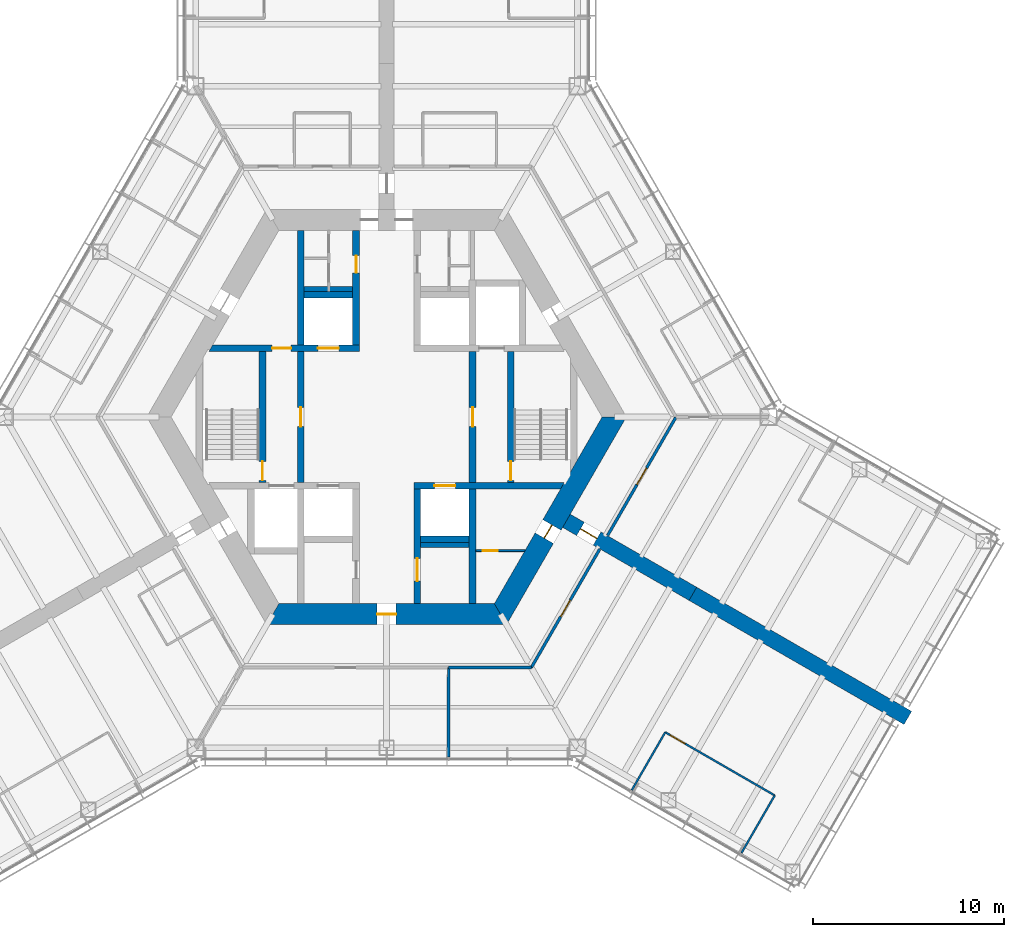
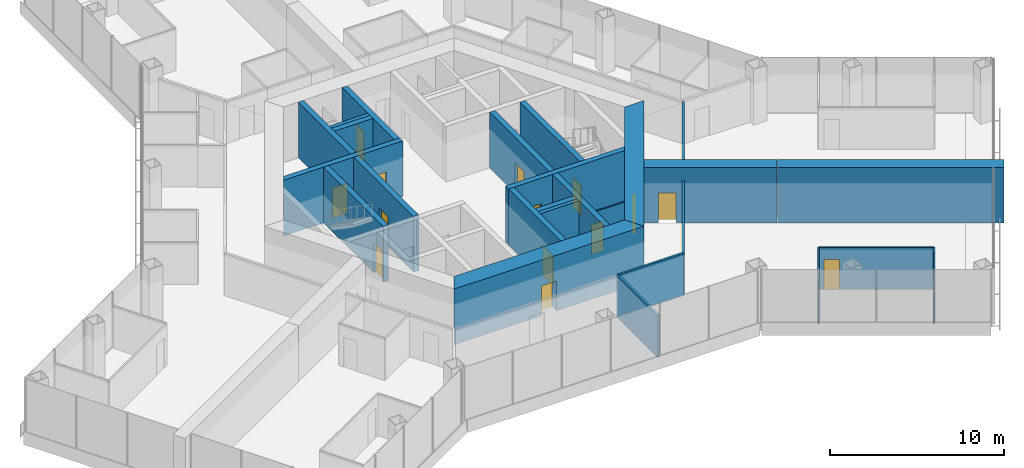
# One storey, part 13 of 18: 26 walls, 16 doors, 16 openings.
"""IFC4 building model written with IfcOpenShell, lengths in metres."""

import ifcopenshell
import ifcopenshell.guid

model = None  # the IFC model being written
_history = None  # IfcOwnerHistory: only IFC2X3 demands one
_inside = {}  # id of a spatial element -> (the spatial element, [elements in it])
_under = {}  # id of a project, library or spatial element -> (it, [spatial elements below it])
_declared = {}  # id of a project -> (the project, [libraries it declares])
_typed = {}  # id of a type object -> (the type object, [elements of that type])
_made_of = {}  # id of a material, layer set ... -> (it, [elements and type objects made of it])


def new_model(schema):
    """Start an empty IFC model of exactly this schema.

    Asked for "IFC4X3", IfcOpenShell would pick the latest addendum, in which some entities
    have other attributes; the version numbers below select the first issue.
    IFC2X3 requires an IfcOwnerHistory on every rooted entity: one is made here for all.
    """
    global model, _history
    if schema == "IFC4X3":
        model = ifcopenshell.file(schema_version=(4, 3, 0, 0))
    else:
        model = ifcopenshell.file(schema=schema)
    _inside.clear()
    _under.clear()
    _declared.clear()
    _typed.clear()
    _made_of.clear()
    _history = None
    if model.schema == "IFC2X3":
        org = make("IfcOrganization", Name="unknown")
        user = make(
            "IfcPersonAndOrganization",
            ThePerson=make("IfcPerson", FamilyName="unknown"),
            TheOrganization=org,
        )
        app = make(
            "IfcApplication",
            ApplicationDeveloper=org,
            Version="unknown",
            ApplicationFullName="unknown",
            ApplicationIdentifier="unknown",
        )
        _history = make(
            "IfcOwnerHistory",
            OwningUser=user,
            OwningApplication=app,
            ChangeAction="ADDED",
            CreationDate=0,
        )
    return model


def make(cls, **values):
    """One entity of the class cls with the attributes given. An attribute that is None is left unset."""
    return model.create_entity(
        cls, **{name: value for name, value in values.items() if value is not None}
    )


def rooted(cls, **values):
    """An entity with a GlobalId (a new one), such as an element, a storey or a relation."""
    return make(cls, GlobalId=ifcopenshell.guid.new(), OwnerHistory=_history, **values)


def si_unit(unit_type, name, prefix=None):
    """IfcSIUnit, for example si_unit("LENGTHUNIT", "METRE", prefix="MILLI")."""
    return make("IfcSIUnit", UnitType=unit_type, Prefix=prefix, Name=name)


def assignment(units):
    """IfcUnitAssignment: the units of a project."""
    return None if units is None else make("IfcUnitAssignment", Units=units)


def point(xyz):
    """IfcCartesianPoint."""
    return None if xyz is None else make("IfcCartesianPoint", Coordinates=xyz)


def direction(xyz):
    """IfcDirection."""
    return None if xyz is None else make("IfcDirection", DirectionRatios=xyz)


def frame(location, z_axis=None, x_axis=None):
    """IfcAxis2Placement3D, a coordinate frame: its origin and axes. An axis left out is left unset."""
    return make(
        "IfcAxis2Placement3D",
        Location=point(location),
        Axis=direction(z_axis),
        RefDirection=direction(x_axis),
    )


def frame_2d(location, x_axis=None):
    """IfcAxis2Placement2D, a coordinate frame in the plane: its origin and x axis."""
    return make(
        "IfcAxis2Placement2D", Location=point(location), RefDirection=direction(x_axis)
    )


def origin():
    """The frame at (0, 0, 0) with its axes left unset."""
    return frame((0.0, 0.0, 0.0))


def place(relative_to, where):
    """IfcLocalPlacement: puts the frame where relative to a parent placement (None: the world)."""
    return make(
        "IfcLocalPlacement", PlacementRelTo=relative_to, RelativePlacement=where
    )


def context(
    kind, dimensions, precision=None, world=None, true_north=None, identifier=None
):
    """IfcGeometricRepresentationContext, for example the 3D "Model" context."""
    return make(
        "IfcGeometricRepresentationContext",
        ContextIdentifier=identifier,
        ContextType=kind,
        CoordinateSpaceDimension=dimensions,
        Precision=precision,
        WorldCoordinateSystem=world,
        TrueNorth=true_north,
    )


def subcontext(parent, identifier, kind, view, scale=None):
    """IfcGeometricRepresentationSubContext, for example "Body" below "Model"."""
    return make(
        "IfcGeometricRepresentationSubContext",
        ContextIdentifier=identifier,
        ContextType=kind,
        ParentContext=parent,
        TargetScale=scale,
        TargetView=view,
    )


def project(units=None, contexts=None):
    """IfcProject with its units and contexts."""
    return rooted(
        "IfcProject",
        Name="project",
        RepresentationContexts=contexts,
        UnitsInContext=assignment(units),
    )


def spatial(cls, under=None, at=None, **own):
    """A site, building, storey or space (cls), placed at a placement, below another one or the project."""
    s = rooted(cls, ObjectPlacement=at, **own)
    if under is not None:
        _under.setdefault(under.id(), (under, []))[1].append(s)
    return s


def polyline(points):
    """IfcPolyline through the points."""
    return make("IfcPolyline", Points=[point(p) for p in points])


def profile(cls, at=None, kind="AREA", **sizes):
    """A parametric profile (cls). Its sizes go by their IFC names, for example OverallWidth=200.0."""
    return make(cls, ProfileType=kind, Position=at, **sizes)


def rectangle(**sizes):
    """IfcRectangleProfileDef."""
    return profile("IfcRectangleProfileDef", **sizes)


def outline(outer, holes=None, kind="AREA"):
    """IfcArbitraryClosedProfileDef: a profile drawn as a closed curve; with holes, ...WithVoids."""
    if holes is None:
        return make("IfcArbitraryClosedProfileDef", ProfileType=kind, OuterCurve=outer)
    return make(
        "IfcArbitraryProfileDefWithVoids",
        ProfileType=kind,
        OuterCurve=outer,
        InnerCurves=holes,
    )


def extrude(swept, where, along, depth):
    """IfcExtrudedAreaSolid: the profile swept, set in the frame where, extruded along a direction by depth."""
    return make(
        "IfcExtrudedAreaSolid",
        SweptArea=swept,
        Position=where,
        ExtrudedDirection=direction(along),
        Depth=depth,
    )


def shape(context_of_items, identifier, shape_type, items):
    """IfcShapeRepresentation: the items that make up one representation, for example the "Body"."""
    return make(
        "IfcShapeRepresentation",
        ContextOfItems=context_of_items,
        RepresentationIdentifier=identifier,
        RepresentationType=shape_type,
        Items=items,
    )


def material(Name=None, Category=None):
    """IfcMaterial."""
    return make("IfcMaterial", Name=Name, Category=Category)


def layer(
    of_material, thickness, ventilated=None, Name=None, Category=None, Priority=None
):
    """IfcMaterialLayer: one layer of a wall or slab, of a material (None: an air gap)."""
    return make(
        "IfcMaterialLayer",
        Material=of_material,
        LayerThickness=thickness,
        IsVentilated=ventilated,
        Name=Name,
        Category=Category,
        Priority=Priority,
    )


def layer_set(layers, Name=None):
    """IfcMaterialLayerSet."""
    return make("IfcMaterialLayerSet", MaterialLayers=layers, LayerSetName=Name)


def made_of(thing, what):
    """Note that an element or type object is made of a material, layer set ...; save() writes the relation."""
    if what is not None:
        _made_of.setdefault(what.id(), (what, []))[1].append(thing)
    return thing


def type_object(cls, material=None, **own):
    """A type object (cls), such as IfcWallType, which elements share."""
    return made_of(rooted(cls, **own), material)


def element(
    cls,
    number,
    at=None,
    inside=None,
    cuts=None,
    type_object=None,
    material=None,
    context=None,
    identifier="Body",
    shape_type=None,
    held_by="IfcProductDefinitionShape",
    body=None,
    shapes=None,
    **own,
):
    """One element of the class cls, such as IfcWall. Its Tag is "e" and its number.

    at: its placement. inside: the storey or other place that contains it. cuts: it is an
    opening in that element (IfcRelVoidsElement). A single representation is given by context,
    identifier, shape_type and body (its items); several are given by shapes. held_by: the class
    of the entity that holds the representations. save() writes the other relations.
    """
    e = rooted(cls, Tag="e%d" % number, ObjectPlacement=at, **own)
    if body is not None:
        shapes = [shape(context, identifier, shape_type, body)]
    if shapes is not None:
        e.Representation = make(held_by, Representations=shapes)
    if inside is not None:
        _inside.setdefault(inside.id(), (inside, []))[1].append(e)
    if cuts is not None:
        rooted(
            "IfcRelVoidsElement", RelatingBuildingElement=cuts, RelatedOpeningElement=e
        )
    if type_object is not None:
        _typed.setdefault(type_object.id(), (type_object, []))[1].append(e)
    return made_of(e, material)


def fill(opening, filler):
    """IfcRelFillsElement: the door or window that sits in an opening."""
    return rooted(
        "IfcRelFillsElement",
        RelatingOpeningElement=opening,
        RelatedBuildingElement=filler,
    )


def aggregate(whole, parts):
    """IfcRelAggregates: a whole, such as a stair, and the parts it consists of."""
    return rooted("IfcRelAggregates", RelatingObject=whole, RelatedObjects=parts)


def save(model, path):
    """Write the relations noted so far, then the file.

    IfcRelAggregates (storeys below a building ...), IfcRelContainedInSpatialStructure (elements
    in a storey), IfcRelDefinesByType, IfcRelAssociatesMaterial and IfcRelDeclares: one each for
    every whole, place, type object, material and project.
    """
    for whole, parts in _under.values():
        aggregate(whole, parts)
    for where, things in _inside.values():
        rooted(
            "IfcRelContainedInSpatialStructure",
            RelatedElements=things,
            RelatingStructure=where,
        )
    for kind, things in _typed.values():
        rooted("IfcRelDefinesByType", RelatedObjects=things, RelatingType=kind)
    for what, things in _made_of.values():
        rooted("IfcRelAssociatesMaterial", RelatedObjects=things, RelatingMaterial=what)
    for by, libraries in _declared.values():
        rooted("IfcRelDeclares", RelatingContext=by, RelatedDefinitions=libraries)
    model.write(path)


model = new_model("IFC4")

# Units and contexts
model_context = context("Model", 3, precision=1e-05, world=origin(), true_north=direction((0.0, 1.0)))
body_context = subcontext(model_context, "Body", "Model", "MODEL_VIEW")
ifc_project = project(units=[si_unit("LENGTHUNIT", "METRE"), si_unit("AREAUNIT", "SQUARE_METRE"), si_unit("VOLUMEUNIT", "CUBIC_METRE"), si_unit("PLANEANGLEUNIT", "RADIAN"), si_unit("MASSUNIT", "GRAM", prefix="KILO")], contexts=[model_context])

# Site, building, storey
site_placement = place(None, origin())
site = spatial("IfcSite", under=ifc_project, at=site_placement, CompositionType="ELEMENT")
building_placement = place(site_placement, origin())
building = spatial("IfcBuilding", under=site, at=building_placement, Name="Kasaneha Research Tower", CompositionType="ELEMENT")
storey_placement = place(building_placement, frame((0.0, 0.0, 69.0)))
storey = spatial("IfcBuildingStorey", under=building, at=storey_placement, Name="L17", CompositionType="ELEMENT", Elevation=69.0)

# Wall, openings, doors
ifc_material_1 = material(Name="Concrete Fc80", Category="concrete")
ifc_layer_1 = layer(ifc_material_1, 0.35009765625)
ifc_layer_set_1 = layer_set([ifc_layer_1], Name="Core internal wall 350 Fc80")
wall_type_1 = type_object("IfcWallType", Name="Core internal wall 350 Fc80", PredefinedType="SHEAR", material=ifc_layer_set_1)
wall_1_placement = place(storey_placement, frame((-9.208740234375, 3.60009765625, 0.0), z_axis=(0.0, 0.0, 1.0), x_axis=(1.0, 0.0, 0.0)))
wall_1 = element("IfcWall", 1, at=wall_1_placement, inside=storey, type_object=wall_type_1, Name="Core wall W1W L17", PredefinedType="SHEAR", context=body_context, shape_type="SweptSolid", body=[
    extrude(outline(polyline([(-0.10107421875, -0.175048828125), (3.208740234375, -0.175048828125), (4.208740234375, -0.175048828125), (5.608642578125, -0.175048828125), (6.708740234375, -0.175048828125), (7.78369140625, -0.175048828125), (7.78369140625, 0.175048828125), (6.708740234375, 0.175048828125), (5.608642578125, 0.175048828125), (4.208740234375, 0.175048828125), (3.208740234375, 0.175048828125), (0.10107421875, 0.175048828125), (-0.10107421875, -0.175048828125)])), origin(), (0.0, 0.0, 1.0), 3.89990234375),
])
opening_1_placement = place(wall_1_placement, frame((3.208740234375, 0.0, 0.0)))
opening_1 = element("IfcOpeningElement", 2, at=opening_1_placement, cuts=wall_1, Name="Opening L17-D12", PredefinedType="OPENING", context=body_context, shape_type="SweptSolid", body=[
    extrude(rectangle(XDim=1.0, YDim=2.10009765625, at=frame_2d((0.5, 1.050048828125))), frame((0.0, 0.18505859375, 0.0), z_axis=(0.0, -1.0, 0.0), x_axis=(1.0, 0.0, 0.0)), (0.0, 0.0, 1.0), 0.3701171875),
])
opening_2_placement = place(wall_1_placement, frame((5.608642578125, 0.0, 0.0)))
opening_2 = element("IfcOpeningElement", 3, at=opening_2_placement, cuts=wall_1, Name="Opening LD-LO1-L17", PredefinedType="OPENING", context=body_context, shape_type="SweptSolid", body=[
    extrude(rectangle(XDim=1.10009765625, YDim=2.10009765625, at=frame_2d((0.550048828125, 1.050048828125))), frame((0.0, 0.18505859375, 0.0), z_axis=(0.0, -1.0, 0.0), x_axis=(1.0, 0.0, 0.0)), (0.0, 0.0, 1.0), 0.3701171875),
])
ifc_material_2 = material(Name="Steel", Category="steel")
door_type_1 = type_object("IfcDoorType", Name="Lift landing door 1100x2100", OperationType="DOUBLE_DOOR_SLIDING", PredefinedType="DOOR", material=ifc_material_2)
door_1_placement = place(opening_2_placement, origin())
door_1 = element("IfcDoor", 4, at=door_1_placement, inside=storey, type_object=door_type_1, Name="Landing door LO1 LD-LO1-L17", OperationType="DOUBLE_DOOR_SLIDING", OverallHeight=2.10009765625, OverallWidth=1.10009765625, PredefinedType="DOOR", context=body_context, shape_type="SweptSolid", body=[
    extrude(rectangle(XDim=1.10009765625, YDim=2.10009765625, at=frame_2d((0.550048828125, 1.050048828125))), frame((0.0, 0.02490234375, 0.0), z_axis=(0.0, -1.0, 0.0), x_axis=(1.0, 0.0, 0.0)), (0.0, 0.0, 1.0), 0.050048828125),
])
fill(opening_2, door_1)
ifc_material_3 = material(Name="Steel", Category="steel")
door_type_2 = type_object("IfcDoorType", Name="Specified fire door FD60 1000x2100", OperationType="NOTDEFINED", PredefinedType="DOOR", material=ifc_material_3)
door_2_placement = place(opening_1_placement, origin())
door_2 = element("IfcDoor", 5, at=door_2_placement, inside=storey, type_object=door_type_2, Name="Vestibule to lobby door L17-D12", OperationType="SINGLE_SWING_RIGHT", OverallHeight=2.10009765625, OverallWidth=1.0, PredefinedType="DOOR", context=body_context, shape_type="SweptSolid", body=[
    extrude(rectangle(XDim=1.0, YDim=2.10009765625, at=frame_2d((0.5, 1.050048828125))), frame((0.0, 0.02490234375, 0.0), z_axis=(0.0, -1.0, 0.0), x_axis=(1.0, 0.0, 0.0)), (0.0, 0.0, 1.0), 0.050048828125),
])
fill(opening_1, door_2)

# Wall, opening, door
wall_2_placement = place(storey_placement, frame((1.425048828125, -3.60009765625, 0.0), z_axis=(0.0, 0.0, 1.0), x_axis=(1.0, 0.0, 0.0)))
wall_2 = element("IfcWall", 6, at=wall_2_placement, inside=storey, type_object=wall_type_1, Name="Core wall W2E L17", PredefinedType="SHEAR", context=body_context, shape_type="SweptSolid", body=[
    extrude(outline(polyline([(0.0, -0.175048828125), (1.074951171875, -0.175048828125), (2.175048828125, -0.175048828125), (7.6826171875, -0.175048828125), (7.884765625, 0.175048828125), (2.175048828125, 0.175048828125), (1.074951171875, 0.175048828125), (0.0, 0.175048828125), (0.0, -0.175048828125)])), origin(), (0.0, 0.0, 1.0), 3.89990234375),
])
opening_3_placement = place(wall_2_placement, frame((1.074951171875, 0.0, 0.0)))
opening_3 = element("IfcOpeningElement", 7, at=opening_3_placement, cuts=wall_2, Name="Opening LD-LO3-L17", PredefinedType="OPENING", context=body_context, shape_type="SweptSolid", body=[
    extrude(rectangle(XDim=1.10009765625, YDim=2.10009765625, at=frame_2d((0.550048828125, 1.050048828125))), frame((0.0, 0.18505859375, 0.0), z_axis=(0.0, -1.0, 0.0), x_axis=(1.0, 0.0, 0.0)), (0.0, 0.0, 1.0), 0.3701171875),
])
door_3_placement = place(opening_3_placement, origin())
door_3 = element("IfcDoor", 8, at=door_3_placement, inside=storey, type_object=door_type_1, Name="Landing door LO3 LD-LO3-L17", OperationType="DOUBLE_DOOR_SLIDING", OverallHeight=2.10009765625, OverallWidth=1.10009765625, PredefinedType="DOOR", context=body_context, shape_type="SweptSolid", body=[
    extrude(rectangle(XDim=1.10009765625, YDim=2.10009765625, at=frame_2d((0.550048828125, 1.050048828125))), frame((0.0, 0.02490234375, 0.0), z_axis=(0.0, -1.0, 0.0), x_axis=(1.0, 0.0, 0.0)), (0.0, 0.0, 1.0), 0.050048828125),
])
fill(opening_3, door_3)

wall_3_placement = place(storey_placement, frame((-1.60009765625, 3.77490234375, 0.0), z_axis=(0.0, 0.0, 1.0), x_axis=(0.0, 1.0, 0.0)))
wall_3 = element("IfcWall", 9, at=wall_3_placement, inside=storey, type_object=wall_type_1, Name="Core wall CNW L17", PredefinedType="SHEAR", context=body_context, shape_type="SweptSolid", body=[
    extrude(rectangle(XDim=6.0, YDim=0.35009765625, at=frame_2d((3.0, 0.0))), origin(), (0.0, 0.0, 1.0), 3.89990234375),
])
opening_4_placement = place(wall_3_placement, frame((3.77490234375, 0.0, 0.0)))
opening_4 = element("IfcOpeningElement", 10, at=opening_4_placement, cuts=wall_3, Name="Opening L17-D13", PredefinedType="OPENING", context=body_context, shape_type="SweptSolid", body=[
    extrude(rectangle(XDim=0.89990234375, YDim=2.10009765625, at=frame_2d((0.449951171875, 1.050048828125))), frame((0.0, 0.18505859375, 0.0), z_axis=(0.0, -1.0, 0.0), x_axis=(1.0, 0.0, 0.0)), (0.0, 0.0, 1.0), 0.3701171875),
])
ifc_material_4 = material(Name="Steel", Category="steel")
door_type_3 = type_object("IfcDoorType", Name="Toilet door FD20 900x2100", OperationType="NOTDEFINED", PredefinedType="DOOR", material=ifc_material_4)
door_4_placement = place(opening_4_placement, origin())
door_4 = element("IfcDoor", 11, at=door_4_placement, inside=storey, type_object=door_type_3, Name="Men's WC door L17-D13", OperationType="SINGLE_SWING_LEFT", OverallHeight=2.10009765625, OverallWidth=0.89990234375, PredefinedType="DOOR", context=body_context, shape_type="SweptSolid", body=[
    extrude(rectangle(XDim=0.89990234375, YDim=2.10009765625, at=frame_2d((0.449951171875, 1.050048828125))), frame((0.0, 0.02490234375, 0.0), z_axis=(0.0, -1.0, 0.0), x_axis=(1.0, 0.0, 0.0)), (0.0, 0.0, 1.0), 0.050048828125),
])
fill(opening_4, door_4)

wall_4_placement = place(storey_placement, frame((1.60009765625, -3.77490234375, 0.0), z_axis=(0.0, 0.0, 1.0), x_axis=(0.0, -1.0, 0.0)))
wall_4 = element("IfcWall", 12, at=wall_4_placement, inside=storey, type_object=wall_type_1, Name="Core wall CSE L17", PredefinedType="SHEAR", context=body_context, shape_type="SweptSolid", body=[
    extrude(rectangle(XDim=6.0, YDim=0.35009765625, at=frame_2d((3.0, 0.0))), origin(), (0.0, 0.0, 1.0), 3.89990234375),
])
opening_5_placement = place(wall_4_placement, frame((3.625, 0.0, 0.0)))
opening_5 = element("IfcOpeningElement", 13, at=opening_5_placement, cuts=wall_4, Name="Opening L17-D15", PredefinedType="OPENING", context=body_context, shape_type="SweptSolid", body=[
    extrude(rectangle(XDim=1.199951171875, YDim=2.10009765625, at=frame_2d((0.60009765625, 1.050048828125))), frame((0.0, 0.18505859375, 0.0), z_axis=(0.0, -1.0, 0.0), x_axis=(1.0, 0.0, 0.0)), (0.0, 0.0, 1.0), 0.3701171875),
])
ifc_material_5 = material(Name="Steel", Category="steel")
door_type_4 = type_object("IfcDoorType", Name="Accessible toilet sliding door FD20 1200x2100", OperationType="SLIDING_TO_LEFT", PredefinedType="DOOR", material=ifc_material_5)
door_5_placement = place(opening_5_placement, origin())
door_5 = element("IfcDoor", 14, at=door_5_placement, inside=storey, type_object=door_type_4, Name="Accessible WC door L17-D15", OperationType="SLIDING_TO_LEFT", OverallHeight=2.10009765625, OverallWidth=1.199951171875, PredefinedType="DOOR", context=body_context, shape_type="SweptSolid", body=[
    extrude(rectangle(XDim=1.199951171875, YDim=2.10009765625, at=frame_2d((0.60009765625, 1.050048828125))), frame((0.0, 0.02490234375, 0.0), z_axis=(0.0, -1.0, 0.0), x_axis=(1.0, 0.0, 0.0)), (0.0, 0.0, 1.0), 0.050048828125),
])
fill(opening_5, door_5)

wall_5_placement = place(storey_placement, frame((-4.5, -3.425048828125, 0.0), z_axis=(0.0, 0.0, 1.0), x_axis=(0.0, 1.0, 0.0)))
wall_5 = element("IfcWall", 15, at=wall_5_placement, inside=storey, type_object=wall_type_1, Name="Core wall LBW L17", PredefinedType="SHEAR", context=body_context, shape_type="SweptSolid", body=[
    extrude(rectangle(XDim=6.85009765625, YDim=0.35009765625, at=frame_2d((3.425048828125, 0.0))), origin(), (0.0, 0.0, 1.0), 3.89990234375),
])
opening_6_placement = place(wall_5_placement, frame((2.925048828125, 0.0, 0.0)))
opening_6 = element("IfcOpeningElement", 16, at=opening_6_placement, cuts=wall_5, Name="Opening L17-D09", PredefinedType="OPENING", context=body_context, shape_type="SweptSolid", body=[
    extrude(rectangle(XDim=1.0, YDim=2.10009765625, at=frame_2d((0.5, 1.050048828125))), frame((0.0, 0.18505859375, 0.0), z_axis=(0.0, -1.0, 0.0), x_axis=(1.0, 0.0, 0.0)), (0.0, 0.0, 1.0), 0.3701171875),
])
door_6_placement = place(opening_6_placement, origin())
door_6 = element("IfcDoor", 17, at=door_6_placement, inside=storey, type_object=door_type_2, Name="Lift lobby door west L17-D09", OperationType="SINGLE_SWING_LEFT", OverallHeight=2.10009765625, OverallWidth=1.0, PredefinedType="DOOR", context=body_context, shape_type="SweptSolid", body=[
    extrude(rectangle(XDim=1.0, YDim=2.10009765625, at=frame_2d((0.5, 1.050048828125))), frame((0.0, 0.02490234375, 0.0), z_axis=(0.0, -1.0, 0.0), x_axis=(1.0, 0.0, 0.0)), (0.0, 0.0, 1.0), 0.050048828125),
])
fill(opening_6, door_6)

wall_6_placement = place(storey_placement, frame((4.5, -3.425048828125, 0.0), z_axis=(0.0, 0.0, 1.0), x_axis=(0.0, 1.0, 0.0)))
wall_6 = element("IfcWall", 18, at=wall_6_placement, inside=storey, type_object=wall_type_1, Name="Core wall LBE L17", PredefinedType="SHEAR", context=body_context, shape_type="SweptSolid", body=[
    extrude(rectangle(XDim=6.85009765625, YDim=0.35009765625, at=frame_2d((3.425048828125, 0.0))), origin(), (0.0, 0.0, 1.0), 3.89990234375),
])
opening_7_placement = place(wall_6_placement, frame((2.925048828125, 0.0, 0.0)))
opening_7 = element("IfcOpeningElement", 19, at=opening_7_placement, cuts=wall_6, Name="Opening L17-D08", PredefinedType="OPENING", context=body_context, shape_type="SweptSolid", body=[
    extrude(rectangle(XDim=1.0, YDim=2.10009765625, at=frame_2d((0.5, 1.050048828125))), frame((0.0, 0.18505859375, 0.0), z_axis=(0.0, -1.0, 0.0), x_axis=(1.0, 0.0, 0.0)), (0.0, 0.0, 1.0), 0.3701171875),
])
door_7_placement = place(opening_7_placement, origin())
door_7 = element("IfcDoor", 20, at=door_7_placement, inside=storey, type_object=door_type_2, Name="Lift lobby door east L17-D08", OperationType="SINGLE_SWING_LEFT", OverallHeight=2.10009765625, OverallWidth=1.0, PredefinedType="DOOR", context=body_context, shape_type="SweptSolid", body=[
    extrude(rectangle(XDim=1.0, YDim=2.10009765625, at=frame_2d((0.5, 1.050048828125))), frame((0.0, 0.02490234375, 0.0), z_axis=(0.0, -1.0, 0.0), x_axis=(1.0, 0.0, 0.0)), (0.0, 0.0, 1.0), 0.050048828125),
])
fill(opening_7, door_7)

wall_7_placement = place(storey_placement, frame((-6.5, -3.425048828125, 0.0), z_axis=(0.0, 0.0, 1.0), x_axis=(0.0, 1.0, 0.0)))
wall_7 = element("IfcWall", 21, at=wall_7_placement, inside=storey, type_object=wall_type_1, Name="Core wall ANW L17", PredefinedType="SHEAR", context=body_context, shape_type="SweptSolid", body=[
    extrude(rectangle(XDim=6.85009765625, YDim=0.35009765625, at=frame_2d((3.425048828125, 0.0))), origin(), (0.0, 0.0, 1.0), 3.89990234375),
])
opening_8_placement = place(wall_7_placement, frame((0.10009765625, 0.0, 0.0)))
opening_8 = element("IfcOpeningElement", 22, at=opening_8_placement, cuts=wall_7, Name="Opening L17-D11", PredefinedType="OPENING", context=body_context, shape_type="SweptSolid", body=[
    extrude(rectangle(XDim=1.0, YDim=2.10009765625, at=frame_2d((0.5, 1.050048828125))), frame((0.0, 0.18505859375, 0.0), z_axis=(0.0, -1.0, 0.0), x_axis=(1.0, 0.0, 0.0)), (0.0, 0.0, 1.0), 0.3701171875),
])
door_8_placement = place(opening_8_placement, origin())
door_8 = element("IfcDoor", 23, at=door_8_placement, inside=storey, type_object=door_type_2, Name="Stair 2 door L17-D11", OperationType="SINGLE_SWING_LEFT", OverallHeight=2.10009765625, OverallWidth=1.0, PredefinedType="DOOR", context=body_context, shape_type="SweptSolid", body=[
    extrude(rectangle(XDim=1.0, YDim=2.10009765625, at=frame_2d((0.5, 1.050048828125))), frame((0.0, 0.02490234375, 0.0), z_axis=(0.0, -1.0, 0.0), x_axis=(1.0, 0.0, 0.0)), (0.0, 0.0, 1.0), 0.050048828125),
])
fill(opening_8, door_8)

wall_8_placement = place(storey_placement, frame((6.5, -3.425048828125, 0.0), z_axis=(0.0, 0.0, 1.0), x_axis=(0.0, 1.0, 0.0)))
wall_8 = element("IfcWall", 24, at=wall_8_placement, inside=storey, type_object=wall_type_1, Name="Core wall ANE L17", PredefinedType="SHEAR", context=body_context, shape_type="SweptSolid", body=[
    extrude(rectangle(XDim=6.85009765625, YDim=0.35009765625, at=frame_2d((3.425048828125, 0.0))), origin(), (0.0, 0.0, 1.0), 3.89990234375),
])
opening_9_placement = place(wall_8_placement, frame((0.10009765625, 0.0, 0.0)))
opening_9 = element("IfcOpeningElement", 25, at=opening_9_placement, cuts=wall_8, Name="Opening L17-D10", PredefinedType="OPENING", context=body_context, shape_type="SweptSolid", body=[
    extrude(rectangle(XDim=1.0, YDim=2.10009765625, at=frame_2d((0.5, 1.050048828125))), frame((0.0, 0.18505859375, 0.0), z_axis=(0.0, -1.0, 0.0), x_axis=(1.0, 0.0, 0.0)), (0.0, 0.0, 1.0), 0.3701171875),
])
door_9_placement = place(opening_9_placement, origin())
door_9 = element("IfcDoor", 26, at=door_9_placement, inside=storey, type_object=door_type_2, Name="Stair 1 door L17-D10", OperationType="SINGLE_SWING_LEFT", OverallHeight=2.10009765625, OverallWidth=1.0, PredefinedType="DOOR", context=body_context, shape_type="SweptSolid", body=[
    extrude(rectangle(XDim=1.0, YDim=2.10009765625, at=frame_2d((0.5, 1.050048828125))), frame((0.0, 0.02490234375, 0.0), z_axis=(0.0, -1.0, 0.0), x_axis=(1.0, 0.0, 0.0)), (0.0, 0.0, 1.0), 0.050048828125),
])
fill(opening_9, door_9)

# Walls
for number, where, z_axis, x_axis, name in (
    (27, (-4.5, 3.77490234375, 0.0), (0.0, 0.0, 1.0), (0.0, 1.0, 0.0), "Core wall VNW L17"),
    (28, (4.5, -3.77490234375, 0.0), (0.0, 0.0, 1.0), (0.0, -1.0, 0.0), "Core wall SSE L17"),
):
    element("IfcWall", number, at=place(storey_placement, frame(where, z_axis=z_axis, x_axis=x_axis)), inside=storey, type_object=wall_type_1, Name=name, PredefinedType="SHEAR", context=body_context, shape_type="SweptSolid", body=[
        extrude(rectangle(XDim=6.0, YDim=0.35009765625, at=frame_2d((3.0, 0.0))), origin(), (0.0, 0.0, 1.0), 3.89990234375),
    ])
for number, where, z_axis, x_axis, name in (
    (29, (-4.324951171875, 6.39990234375, 0.0), (0.0, 0.0, 1.0), (1.0, 0.0, 0.0), "Core wall N1N L17"),
    (30, (1.77490234375, -6.39990234375, 0.0), (0.0, 0.0, 1.0), (1.0, 0.0, 0.0), "Core wall S3S L17"),
):
    element("IfcWall", number, at=place(storey_placement, frame(where, z_axis=z_axis, x_axis=x_axis)), inside=storey, type_object=wall_type_1, Name=name, PredefinedType="SHEAR", context=body_context, shape_type="SweptSolid", body=[
        extrude(rectangle(XDim=2.550048828125, YDim=0.35009765625, at=frame_2d((1.27490234375, 0.0))), origin(), (0.0, 0.0, 1.0), 3.89990234375),
    ])

# Wall, opening, door
ifc_material_6 = material(Name="Concrete Fc80", Category="concrete")
ifc_layer_2 = layer(ifc_material_6, 1.10009765625)
ifc_layer_set_2 = layer_set([ifc_layer_2], Name="Core wall 1100 Fc80")
wall_type_2 = type_object("IfcWallType", Name="Core wall 1100 Fc80", PredefinedType="SHEAR", material=ifc_layer_set_2)
wall_9_placement = place(storey_placement, frame((-5.961181640625, -10.324951171875, 0.0), z_axis=(0.0, 0.0, 1.0), x_axis=(1.0, 0.0, 0.0)))
wall_9 = element("IfcWall", 31, at=wall_9_placement, inside=storey, type_object=wall_type_2, Name="Core wall 270 L17", PredefinedType="SHEAR", context=body_context, shape_type="SweptSolid", body=[
    extrude(outline(polyline([(-0.317626953125, -0.550048828125), (5.461181640625, -0.550048828125), (6.461181640625, -0.550048828125), (12.239990234375, -0.550048828125), (11.604736328125, 0.550048828125), (6.461181640625, 0.550048828125), (5.461181640625, 0.550048828125), (0.317626953125, 0.550048828125), (-0.317626953125, -0.550048828125)])), origin(), (0.0, 0.0, 1.0), 3.89990234375),
])
opening_10_placement = place(wall_9_placement, frame((5.461181640625, 0.0, 0.0)))
opening_10 = element("IfcOpeningElement", 32, at=opening_10_placement, cuts=wall_9, Name="Opening L17-D03", PredefinedType="OPENING", context=body_context, shape_type="SweptSolid", body=[
    extrude(rectangle(XDim=1.0, YDim=2.10009765625, at=frame_2d((0.5, 1.050048828125))), frame((0.0, 0.56005859375, 0.0), z_axis=(0.0, -1.0, 0.0), x_axis=(1.0, 0.0, 0.0)), (0.0, 0.0, 1.0), 1.1201171875),
])
ifc_material_7 = material(Name="Steel", Category="steel")
door_type_5 = type_object("IfcDoorType", Name="Fire door FD20 1000x2100", OperationType="NOTDEFINED", PredefinedType="DOOR", material=ifc_material_7)
door_10_placement = place(opening_10_placement, origin())
door_10 = element("IfcDoor", 33, at=door_10_placement, inside=storey, type_object=door_type_5, Name="Core door south L17-D03", OperationType="SINGLE_SWING_LEFT", OverallHeight=2.10009765625, OverallWidth=1.0, PredefinedType="DOOR", context=body_context, shape_type="SweptSolid", body=[
    extrude(rectangle(XDim=1.0, YDim=2.10009765625, at=frame_2d((0.5, 1.050048828125))), frame((0.0, 0.02490234375, 0.0), z_axis=(0.0, -1.0, 0.0), x_axis=(1.0, 0.0, 0.0)), (0.0, 0.0, 1.0), 0.050048828125),
])
fill(opening_10, door_10)

wall_10_placement = place(storey_placement, frame((5.961181640625, -10.324951171875, 0.0), z_axis=(0.0, 0.0, 1.0), x_axis=(0.500004296715, 0.866022923061, 0.0)))
wall_10 = element("IfcWall", 34, at=wall_10_placement, inside=storey, type_object=wall_type_2, Name="Core wall 330 L17", PredefinedType="SHEAR", context=body_context, shape_type="SweptSolid", body=[
    extrude(outline(polyline([(-0.317626953125, -0.550048828125), (4.593994140625, -0.550048828125), (5.39404296875, -0.550048828125), (12.239990234375, -0.550048828125), (11.604736328125, 0.550048828125), (5.39404296875, 0.550048828125), (4.593994140625, 0.550048828125), (0.317626953125, 0.550048828125), (-0.317626953125, -0.550048828125)])), origin(), (0.0, 0.0, 1.0), 3.89990234375),
])
opening_11_placement = place(wall_10_placement, frame((4.593994140625, 0.0, 0.0)))
opening_11 = element("IfcOpeningElement", 35, at=opening_11_placement, cuts=wall_10, Name="Opening L17-D05", PredefinedType="OPENING", context=body_context, shape_type="SweptSolid", body=[
    extrude(rectangle(XDim=0.800048828125, YDim=2.10009765625, at=frame_2d((0.39990234375, 1.050048828125))), frame((0.0, 0.56005859375, 0.0), z_axis=(0.0, -1.0, 0.0), x_axis=(1.0, 0.0, 0.0)), (0.0, 0.0, 1.0), 1.1201171875),
])
ifc_material_8 = material(Name="Steel", Category="steel")
door_type_6 = type_object("IfcDoorType", Name="Riser access door FD60 800x2100", OperationType="NOTDEFINED", PredefinedType="DOOR", material=ifc_material_8)
door_11_placement = place(opening_11_placement, origin())
door_11 = element("IfcDoor", 36, at=door_11_placement, inside=storey, type_object=door_type_6, Name="Pipe riser door L17-D05", OperationType="SINGLE_SWING_LEFT", OverallHeight=2.10009765625, OverallWidth=0.800048828125, PredefinedType="DOOR", context=body_context, shape_type="SweptSolid", body=[
    extrude(rectangle(XDim=0.800048828125, YDim=2.10009765625, at=frame_2d((0.39990234375, 1.050048828125))), frame((0.0, 0.02490234375, 0.0), z_axis=(0.0, -1.0, 0.0), x_axis=(1.0, 0.0, 0.0)), (0.0, 0.0, 1.0), 0.050048828125),
])
fill(opening_11, door_11)

ifc_material_9 = material(Name="Gypsum board on steel studs, one layer each side", Category="steel")
ifc_layer_3 = layer(ifc_material_9, 0.10009765625)
ifc_layer_set_3 = layer_set([ifc_layer_3], Name="Office partition 100")
wall_type_3 = type_object("IfcWallType", Name="Office partition 100", PredefinedType="PARTITIONING", material=ifc_layer_set_3)
wall_11_placement = place(storey_placement, frame((4.675048828125, -7.0, 0.0), z_axis=(0.0, 0.0, 1.0), x_axis=(1.0, 0.0, 0.0)))
wall_11 = element("IfcWall", 37, at=wall_11_placement, inside=storey, type_object=wall_type_3, Name="Office partition RS-SE L17", PredefinedType="PARTITIONING", context=body_context, shape_type="SweptSolid", body=[
    extrude(outline(polyline([(0.0, -0.050048828125), (0.35009765625, -0.050048828125), (1.150146484375, -0.050048828125), (2.5419921875, -0.050048828125), (2.57080078125, 0.0), (2.57666015625, 0.050048828125), (1.150146484375, 0.050048828125), (0.35009765625, 0.050048828125), (0.0, 0.050048828125), (0.0, -0.050048828125)])), origin(), (0.0, 0.0, 1.0), 2.949951171875),
])
opening_12_placement = place(wall_11_placement, frame((0.35009765625, 0.0, 0.0)))
opening_12 = element("IfcOpeningElement", 38, at=opening_12_placement, cuts=wall_11, Name="Opening L17-D24", PredefinedType="OPENING", context=body_context, shape_type="SweptSolid", body=[
    extrude(rectangle(XDim=0.800048828125, YDim=2.10009765625, at=frame_2d((0.39990234375, 1.050048828125))), frame((0.0, 0.06005859375, 0.0), z_axis=(0.0, -1.0, 0.0), x_axis=(1.0, 0.0, 0.0)), (0.0, 0.0, 1.0), 0.1201171875),
])
door_12_placement = place(opening_12_placement, origin())
door_12 = element("IfcDoor", 39, at=door_12_placement, inside=storey, type_object=door_type_6, Name="Drainage riser door L17-D24", OperationType="SINGLE_SWING_LEFT", OverallHeight=2.10009765625, OverallWidth=0.800048828125, PredefinedType="DOOR", context=body_context, shape_type="SweptSolid", body=[
    extrude(rectangle(XDim=0.800048828125, YDim=2.10009765625, at=frame_2d((0.39990234375, 1.050048828125))), frame((0.0, 0.02490234375, 0.0), z_axis=(0.0, -1.0, 0.0), x_axis=(1.0, 0.0, 0.0)), (0.0, 0.0, 1.0), 0.050048828125),
])
fill(opening_12, door_12)

# Wall
wall_12_placement = place(storey_placement, frame((12.84228515625, -19.538818359375, 0.0), z_axis=(0.0, 0.0, 1.0), x_axis=(0.500010275428, 0.866019471182, 0.0)))
element("IfcWall", 40, at=wall_12_placement, inside=storey, type_object=wall_type_3, Name="Office partition FCS04 L17", PredefinedType="PARTITIONING", context=body_context, shape_type="SweptSolid", body=[
    extrude(rectangle(XDim=3.5, YDim=0.10009765625, at=frame_2d((1.75, 0.0))), origin(), (0.0, 0.0, 1.0), 2.949951171875),
])

# Wall, opening, door
wall_13_placement = place(storey_placement, frame((14.59228515625, -16.5078125, 0.0), z_axis=(0.0, 0.0, 1.0), x_axis=(0.866037567856, -0.499978930619, 0.0)))
wall_13 = element("IfcWall", 41, at=wall_13_placement, inside=storey, type_object=wall_type_3, Name="Office partition FCS05 L17", PredefinedType="PARTITIONING", context=body_context, shape_type="SweptSolid", body=[
    extrude(rectangle(XDim=6.619384765625, YDim=0.10009765625, at=frame_2d((3.3095703125, 0.0))), origin(), (0.0, 0.0, 1.0), 2.949951171875),
])
opening_13_placement = place(wall_13_placement, frame((0.300048828125, 0.0, 0.0)))
opening_13 = element("IfcOpeningElement", 42, at=opening_13_placement, cuts=wall_13, Name="Opening L17-D52", PredefinedType="OPENING", context=body_context, shape_type="SweptSolid", body=[
    extrude(rectangle(XDim=0.89990234375, YDim=2.10009765625, at=frame_2d((0.449951171875, 1.050048828125))), frame((0.0, 0.06005859375, 0.0), z_axis=(0.0, -1.0, 0.0), x_axis=(1.0, 0.0, 0.0)), (0.0, 0.0, 1.0), 0.1201171875),
])
ifc_material_10 = material(Name="Timber veneer", Category="wood")
door_type_7 = type_object("IfcDoorType", Name="Office door 900x2100", OperationType="SINGLE_SWING_LEFT", PredefinedType="DOOR", material=ifc_material_10)
door_13_placement = place(opening_13_placement, origin())
door_13 = element("IfcDoor", 43, at=door_13_placement, inside=storey, type_object=door_type_7, Name="Meeting room door L17-D52", OperationType="SINGLE_SWING_LEFT", OverallHeight=2.10009765625, OverallWidth=0.89990234375, PredefinedType="DOOR", context=body_context, shape_type="SweptSolid", body=[
    extrude(rectangle(XDim=0.89990234375, YDim=2.10009765625, at=frame_2d((0.449951171875, 1.050048828125))), frame((0.0, 0.02490234375, 0.0), z_axis=(0.0, -1.0, 0.0), x_axis=(1.0, 0.0, 0.0)), (0.0, 0.0, 1.0), 0.050048828125),
])
fill(opening_13, door_13)

# Wall
wall_14_placement = place(storey_placement, frame((20.324951171875, -19.8173828125, 0.0), z_axis=(0.0, 0.0, 1.0), x_axis=(-0.499979528911, -0.866037222451, 0.0)))
element("IfcWall", 44, at=wall_14_placement, inside=storey, type_object=wall_type_3, Name="Office partition FCS06 L17", PredefinedType="PARTITIONING", context=body_context, shape_type="SweptSolid", body=[
    extrude(rectangle(XDim=3.480224609375, YDim=0.10009765625, at=frame_2d((1.740234375, 0.0))), origin(), (0.0, 0.0, 1.0), 2.949951171875),
])

# Wall, opening, door
ifc_material_11 = material(Name="Concrete Fc80", Category="concrete")
ifc_layer_4 = layer(ifc_material_11, 0.800048828125)
ifc_layer_set_4 = layer_set([ifc_layer_4], Name="Spine wall 800 Fc80")
wall_type_4 = type_object("IfcWallType", Name="Spine wall 800 Fc80", PredefinedType="SHEAR", material=ifc_layer_set_4)
wall_15_placement = place(storey_placement, frame((9.41796875, -5.4375, 0.0), z_axis=(0.0, 0.0, 1.0), x_axis=(0.866029782078, -0.499992416496, 0.0)))
wall_15 = element("IfcWall", 45, at=wall_15_placement, inside=storey, type_object=wall_type_4, Name="Spine wall C L17", PredefinedType="SHEAR", context=body_context, shape_type="SweptSolid", body=[
    extrude(rectangle(XDim=7.6455078125, YDim=0.800048828125, at=frame_2d((3.82275390625, 0.0))), origin(), (0.0, 0.0, 1.0), 3.89990234375),
])
opening_14_placement = place(wall_15_placement, frame((0.85009765625, 0.0, 0.0)))
opening_14 = element("IfcOpeningElement", 46, at=opening_14_placement, cuts=wall_15, Name="Opening L17-D19", PredefinedType="OPENING", context=body_context, shape_type="SweptSolid", body=[
    extrude(rectangle(XDim=1.0, YDim=2.10009765625, at=frame_2d((0.5, 1.050048828125))), frame((0.0, 0.41015625, 0.0), z_axis=(0.0, -1.0, 0.0), x_axis=(1.0, 0.0, 0.0)), (0.0, 0.0, 1.0), 0.820068359375),
])
door_14_placement = place(opening_14_placement, origin())
door_14 = element("IfcDoor", 47, at=door_14_placement, inside=storey, type_object=door_type_2, Name="Spine doorway C L17-D19", OperationType="SINGLE_SWING_LEFT", OverallHeight=2.10009765625, OverallWidth=1.0, PredefinedType="DOOR", context=body_context, shape_type="SweptSolid", body=[
    extrude(rectangle(XDim=1.0, YDim=2.10009765625, at=frame_2d((0.5, 1.050048828125))), frame((0.0, 0.02490234375, 0.0), z_axis=(0.0, -1.0, 0.0), x_axis=(1.0, 0.0, 0.0)), (0.0, 0.0, 1.0), 0.050048828125),
])
fill(opening_14, door_14)

# Wall
wall_16_placement = place(storey_placement, frame((16.039306640625, -9.26025390625, 0.0), z_axis=(0.0, 0.0, 1.0), x_axis=(0.866024837091, -0.50000098154, 0.0)))
element("IfcWall", 48, at=wall_16_placement, inside=storey, type_object=wall_type_4, Name="Spine wall C wing L17", PredefinedType="SHEAR", context=body_context, shape_type="SweptSolid", body=[
    extrude(rectangle(XDim=13.0, YDim=0.800048828125, at=frame_2d((6.5, 0.0))), origin(), (0.0, 0.0, 1.0), 3.89990234375),
])

# Wall, opening, door
ifc_material_12 = material(Name="Gypsum board on steel studs, two layers each side", Category="steel")
ifc_layer_5 = layer(ifc_material_12, 0.14990234375)
ifc_layer_set_5 = layer_set([ifc_layer_5], Name="Suite partition 150")
wall_type_5 = type_object("IfcWallType", Name="Suite partition 150", PredefinedType="PARTITIONING", material=ifc_layer_set_5)
wall_17_placement = place(storey_placement, frame((15.143798828125, -0.02001953125, 0.0), z_axis=(0.0, 0.0, 1.0), x_axis=(-0.499985098601, -0.86603400694, 0.0)))
wall_17 = element("IfcWall", 49, at=wall_17_placement, inside=storey, type_object=wall_type_5, Name="Suite partition FCE01 L17", PredefinedType="PARTITIONING", context=body_context, shape_type="SweptSolid", body=[
    extrude(rectangle(XDim=7.134521484375, YDim=0.14990234375, at=frame_2d((3.5673828125, 0.0))), origin(), (0.0, 0.0, 1.0), 2.949951171875),
])
opening_15_placement = place(wall_17_placement, frame((3.0673828125, 0.0, 0.0)))
opening_15 = element("IfcOpeningElement", 50, at=opening_15_placement, cuts=wall_17, Name="Opening L17-D48", PredefinedType="OPENING", context=body_context, shape_type="SweptSolid", body=[
    extrude(rectangle(XDim=1.0, YDim=2.10009765625, at=frame_2d((0.5, 1.050048828125))), frame((0.0, 0.0849609375, 0.0), z_axis=(0.0, -1.0, 0.0), x_axis=(1.0, 0.0, 0.0)), (0.0, 0.0, 1.0), 0.169921875),
])
ifc_material_13 = material(Name="Steel", Category="steel")
door_type_8 = type_object("IfcDoorType", Name="Suite entrance door FD60 1000x2100", OperationType="NOTDEFINED", PredefinedType="DOOR", material=ifc_material_13)
door_15_placement = place(opening_15_placement, origin())
door_15 = element("IfcDoor", 51, at=door_15_placement, inside=storey, type_object=door_type_8, Name="Suite entrance door L17-D48", OperationType="SINGLE_SWING_LEFT", OverallHeight=2.10009765625, OverallWidth=1.0, PredefinedType="DOOR", context=body_context, shape_type="SweptSolid", body=[
    extrude(rectangle(XDim=1.0, YDim=2.10009765625, at=frame_2d((0.5, 1.050048828125))), frame((0.0, 0.02490234375, 0.0), z_axis=(0.0, -1.0, 0.0), x_axis=(1.0, 0.0, 0.0)), (0.0, 0.0, 1.0), 0.050048828125),
])
fill(opening_15, door_15)

# Wall
wall_18_placement = place(storey_placement, frame((7.57763671875, -13.125, 0.0), z_axis=(0.0, 0.0, 1.0), x_axis=(-1.0, 0.0, 0.0)))
element("IfcWall", 52, at=wall_18_placement, inside=storey, type_object=wall_type_5, Name="Suite partition FCS01 L17", PredefinedType="PARTITIONING", context=body_context, shape_type="SweptSolid", body=[
    extrude(rectangle(XDim=4.336181640625, YDim=0.14990234375, at=frame_2d((2.16796875, 0.0))), origin(), (0.0, 0.0, 1.0), 2.949951171875),
])

# Wall, opening, door
wall_19_placement = place(storey_placement, frame((11.156494140625, -6.92626953125, 0.0), z_axis=(0.0, 0.0, 1.0), x_axis=(-0.500001961223, -0.866024271469, 0.0)))
wall_19 = element("IfcWall", 53, at=wall_19_placement, inside=storey, type_object=wall_type_5, Name="Suite partition FCS02 L17", PredefinedType="PARTITIONING", context=body_context, shape_type="SweptSolid", body=[
    extrude(rectangle(XDim=7.15771484375, YDim=0.14990234375, at=frame_2d((3.578857421875, 0.0))), origin(), (0.0, 0.0, 1.0), 2.949951171875),
])
opening_16_placement = place(wall_19_placement, frame((3.078857421875, 0.0, 0.0)))
opening_16 = element("IfcOpeningElement", 54, at=opening_16_placement, cuts=wall_19, Name="Opening L17-D50", PredefinedType="OPENING", context=body_context, shape_type="SweptSolid", body=[
    extrude(rectangle(XDim=1.0, YDim=2.10009765625, at=frame_2d((0.5, 1.050048828125))), frame((0.0, 0.0849609375, 0.0), z_axis=(0.0, -1.0, 0.0), x_axis=(1.0, 0.0, 0.0)), (0.0, 0.0, 1.0), 0.169921875),
])
door_16_placement = place(opening_16_placement, origin())
door_16 = element("IfcDoor", 55, at=door_16_placement, inside=storey, type_object=door_type_8, Name="Suite entrance door L17-D50", OperationType="SINGLE_SWING_RIGHT", OverallHeight=2.10009765625, OverallWidth=1.0, PredefinedType="DOOR", context=body_context, shape_type="SweptSolid", body=[
    extrude(rectangle(XDim=1.0, YDim=2.10009765625, at=frame_2d((0.5, 1.050048828125))), frame((0.0, 0.02490234375, 0.0), z_axis=(0.0, -1.0, 0.0), x_axis=(1.0, 0.0, 0.0)), (0.0, 0.0, 1.0), 0.050048828125),
])
fill(opening_16, door_16)

# Walls
wall_20_placement = place(storey_placement, frame((3.246337890625, -17.800537109375, 0.0), z_axis=(0.0, 0.0, 1.0), x_axis=(0.001096662352, 0.999999398666, 0.0)))
element("IfcWall", 56, at=wall_20_placement, inside=storey, type_object=wall_type_5, Name="Suite partition FCS07 L17", PredefinedType="PARTITIONING", context=body_context, shape_type="SweptSolid", body=[
    extrude(rectangle(XDim=4.675048828125, YDim=0.14990234375, at=frame_2d((2.33740234375, 0.0))), origin(), (0.0, 0.0, 1.0), 2.949951171875),
])
ifc_material_14 = material(Name="Concrete block lining", Category="concrete")
ifc_layer_6 = layer(ifc_material_14, 0.25)
ifc_layer_set_6 = layer_set([ifc_layer_6], Name="WC plumbing wall 250")
wall_type_6 = type_object("IfcWallType", Name="WC plumbing wall 250", PredefinedType="PLUMBINGWALL", material=ifc_layer_set_6)
for number, where, z_axis, x_axis, name in (
    (57, (-4.324951171875, 6.699951171875, 0.0), (0.0, 0.0, 1.0), (1.0, 0.0, 0.0), "WC plumbing wall M L17"),
    (58, (1.77490234375, -6.699951171875, 0.0), (0.0, 0.0, 1.0), (1.0, 0.0, 0.0), "WC plumbing wall A L17"),
):
    element("IfcWall", number, at=place(storey_placement, frame(where, z_axis=z_axis, x_axis=x_axis)), inside=storey, type_object=wall_type_6, Name=name, PredefinedType="PLUMBINGWALL", context=body_context, shape_type="SweptSolid", body=[
        extrude(rectangle(XDim=2.550048828125, YDim=0.25, at=frame_2d((1.27490234375, 0.0))), origin(), (0.0, 0.0, 1.0), 3.89990234375),
    ])

save(model, "model.ifc")
